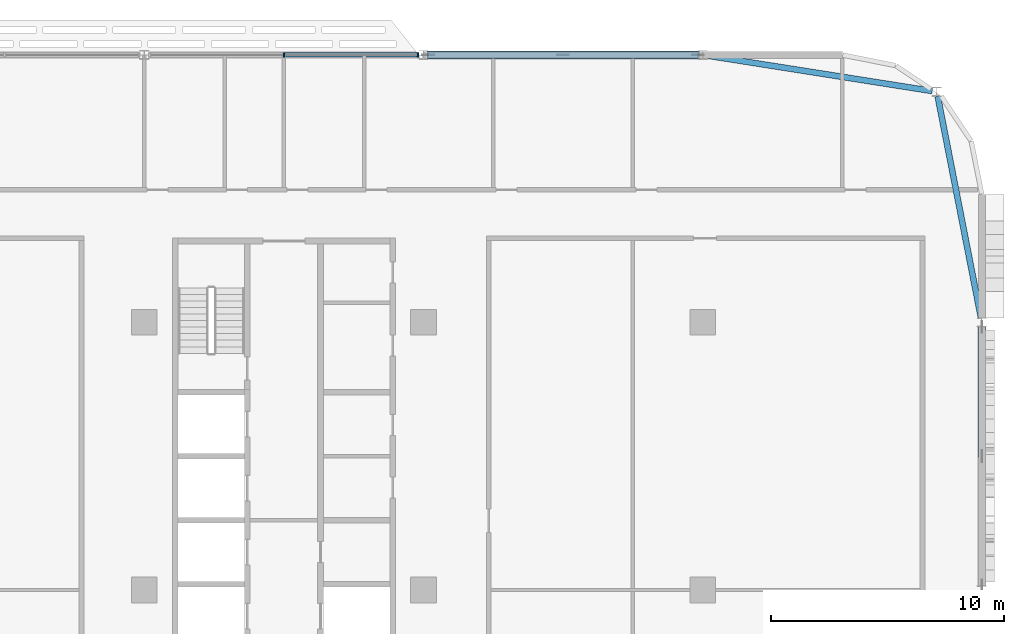
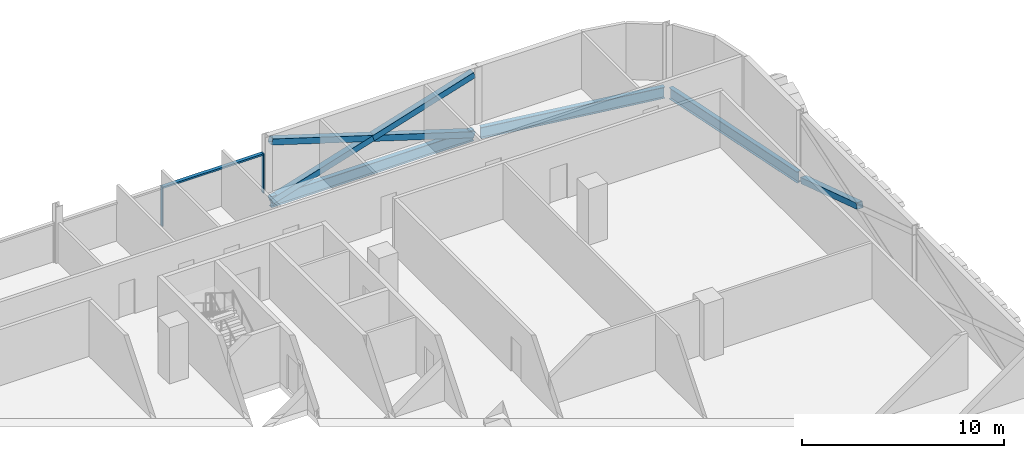
# One storey, part 11 of 30: 7 members, 3 beams, 1 element without a shape of its own.
"""IFC4 building model written with IfcOpenShell, lengths in metres."""

from ifc_helpers import new_model, si_unit, direction, frame, origin, origin_2d, place, context, subcontext, project, spatial, rectangle, hollow_rectangle, i_section, extrude, material, material_profile, profile_set, type_object, element, aggregate, save


model = new_model("IFC4")

# Units and contexts
model_context = context("Model", 3, precision=1e-05, world=origin(), true_north=direction((0.0, 1.0)))
body_context = subcontext(model_context, "Body", "Model", "MODEL_VIEW")
ifc_project = project(units=[si_unit("LENGTHUNIT", "METRE"), si_unit("AREAUNIT", "SQUARE_METRE"), si_unit("VOLUMEUNIT", "CUBIC_METRE"), si_unit("PLANEANGLEUNIT", "RADIAN"), si_unit("MASSUNIT", "GRAM", prefix="KILO")], contexts=[model_context])

# Site, building, storey
site_placement = place(None, origin())
site = spatial("IfcSite", under=ifc_project, at=site_placement, CompositionType="ELEMENT")
building_placement = place(site_placement, origin())
building = spatial("IfcBuilding", under=site, at=building_placement, Name="Mahtab Terrace Research Tower", CompositionType="ELEMENT")
storey_placement = place(building_placement, frame((0.0, 0.0, 220.5)))
storey = spatial("IfcBuildingStorey", under=building, at=storey_placement, Name="L53", CompositionType="ELEMENT", Elevation=220.5)

# Members
ifc_material_1 = material(Name="Steel ASTM A500 Gr C", Category="steel")
ifc_material_profile_1 = material_profile(ifc_material_1, hollow_rectangle(XDim=0.355712890625, YDim=0.355712890625, WallThickness=0.015869140625, at=origin_2d()), Name="HSS14X14X5/8")
ifc_profile_set_1 = profile_set([ifc_material_profile_1], Name="Steel ASTM A500 Gr C")
member_type_1 = type_object("IfcMemberType", Name="HSS 14x14x5/8 brace XB141458", PredefinedType="BRACE", material=ifc_profile_set_1)
member_1_placement = place(storey_placement, frame((41.79931640625, 23.0, -0.616455078125), z_axis=(-0.954709972543, 0.0, 0.297538011566), x_axis=(0.0, -1.0, 0.0)))
element("IfcMember", 1, at=member_1_placement, inside=storey, type_object=member_type_1, Name="Exoskeleton brace L53 02 a", PredefinedType="BRACE", context=body_context, shape_type="SweptSolid", body=[
    extrude(hollow_rectangle(XDim=0.355712890625, YDim=0.355712890625, WallThickness=0.015869140625, at=origin_2d()), origin(), (0.0, 0.0, 1.0), 12.14892578125),
])
for number, where, z_axis, x_axis, name in (
    (2, (30.20068359375, 23.0, -0.616455078125), (0.954709972543, 0.0, 0.297538011566), (0.0, 1.0, 0.0), "Exoskeleton brace L53 02 b1"),
    (3, (36.0, 23.0, 1.19091796875), (0.954709972543, 0.0, 0.297538011566), (0.0, 1.0, 0.0), "Exoskeleton brace L53 02 b2"),
):
    element("IfcMember", number, at=place(storey_placement, frame(where, z_axis=z_axis, x_axis=x_axis)), inside=storey, type_object=member_type_1, Name=name, PredefinedType="BRACE", context=body_context, shape_type="SweptSolid", body=[
        extrude(hollow_rectangle(XDim=0.355712890625, YDim=0.355712890625, WallThickness=0.015869140625, at=origin_2d()), origin(), (0.0, 0.0, 1.0), 6.074462890625),
    ])
member_2_placement = place(storey_placement, frame((54.0, 11.300537109375, -0.6142578125), z_axis=(0.0, -0.95097103429, 0.309279957226), x_axis=(1.0, 0.0, 0.0)))
element("IfcMember", 4, at=member_2_placement, inside=storey, type_object=member_type_1, Name="Exoskeleton brace L53 23 b1", PredefinedType="BRACE", context=body_context, shape_type="SweptSolid", body=[
    extrude(hollow_rectangle(XDim=0.355712890625, YDim=0.355712890625, WallThickness=0.015869140625, at=origin_2d()), origin(), (0.0, 0.0, 1.0), 5.836669921875),
])

# Curtain wall, members
ifc_material_2 = material(Name="Laboratory ribbon curtain wall")
curtain_wall_type = type_object("IfcCurtainWallType", Name="Laboratory ribbon curtain wall", PredefinedType="NOTDEFINED", material=ifc_material_2)
curtain_wall_placement = place(storey_placement, origin())
curtain_wall = element("IfcCurtainWall", 5, at=curtain_wall_placement, inside=storey, type_object=curtain_wall_type, Name="EN.L53.3.5", PredefinedType="NOTDEFINED")
ifc_material_3 = material(Name="Natural anodised aluminium", Category="aluminium")
ifc_material_profile_2 = material_profile(ifc_material_3, rectangle(XDim=0.199951171875, YDim=0.06494140625, at=origin_2d()), Name="MULLION 65x200")
ifc_profile_set_2 = profile_set([ifc_material_profile_2], Name="Natural anodised aluminium")
member_type_2 = type_object("IfcMemberType", Name="Laboratory ribbon curtain wall mullion", PredefinedType="MULLION", material=ifc_profile_set_2)
member_3_placement = place(storey_placement, frame((29.767578125, 23.0, 0.0), z_axis=(0.0, 0.0, 1.0), x_axis=(0.0, -1.0, 0.0)))
member_3 = element("IfcMember", 6, at=member_3_placement, type_object=member_type_2, Name="CWL-6 mullion 1", PredefinedType="MULLION", context=body_context, shape_type="SweptSolid", body=[
    extrude(rectangle(XDim=0.199951171875, YDim=0.06494140625, at=origin_2d()), origin(), (0.0, 0.0, 1.0), 2.401123046875),
])
member_4_placement = place(storey_placement, frame((24.0, 23.0, 0.0), z_axis=(0.0, 0.0, 1.0), x_axis=(0.0, -1.0, 0.0)))
member_4 = element("IfcMember", 7, at=member_4_placement, type_object=member_type_2, Name="CWL-6 mullion 2", PredefinedType="MULLION", context=body_context, shape_type="SweptSolid", body=[
    extrude(rectangle(XDim=0.199951171875, YDim=0.06494140625, at=origin_2d()), origin(), (0.0, 0.0, 1.0), 2.401123046875),
])
ifc_material_profile_3 = material_profile(ifc_material_3, rectangle(XDim=0.199951171875, YDim=0.10009765625, at=origin_2d()), Name="TRANSOM 100x200")
ifc_profile_set_3 = profile_set([ifc_material_profile_3], Name="Natural anodised aluminium")
member_type_3 = type_object("IfcMemberType", Name="Laboratory ribbon curtain wall transom", PredefinedType="USERDEFINED", material=ifc_profile_set_3)
member_5_placement = place(storey_placement, frame((29.735107421875, 23.0, 2.351318359375), z_axis=(-1.0, 0.0, 0.0), x_axis=(0.0, -1.0, 0.0)))
member_5 = element("IfcMember", 8, at=member_5_placement, type_object=member_type_3, Name="CWL-6 transom 1", ObjectType="TRANSOM", PredefinedType="USERDEFINED", context=body_context, shape_type="SweptSolid", body=[
    extrude(rectangle(XDim=0.199951171875, YDim=0.10009765625, at=origin_2d()), origin(), (0.0, 0.0, 1.0), 5.70263671875),
])
aggregate(curtain_wall, [member_3, member_4, member_5])

# Beams
ifc_material_4 = material(Name="Steel ASTM A992 Gr 50", Category="steel")
ifc_material_profile_4 = material_profile(ifc_material_4, i_section(OverallWidth=0.25390625, OverallDepth=0.67822265625, WebThickness=0.01171875, FlangeThickness=0.016357421875, at=origin_2d()), Name="W27X84")
ifc_profile_set_4 = profile_set([ifc_material_profile_4], Name="Steel ASTM A992 Gr 50")
beam_type = type_object("IfcBeamType", Name="W27x84 beam BS2784", PredefinedType="BEAM", material=ifc_profile_set_4)
beam_1_placement = place(storey_placement, frame((51.861328125, 21.447509765625, -0.67919921875), z_axis=(-0.987831689273, 0.155526697604, 0.0), x_axis=(-0.155526697604, -0.987831689273, 0.0)))
element("IfcBeam", 9, at=beam_1_placement, inside=storey, type_object=beam_type, Name="Spandrel beam L53 01", PredefinedType="BEAM", context=body_context, shape_type="SweptSolid", body=[
    extrude(i_section(OverallWidth=0.25390625, OverallDepth=0.67822265625, WebThickness=0.01171875, FlangeThickness=0.016357421875, at=origin_2d()), origin(), (0.0, 0.0, 1.0), 9.779541015625),
])
beam_2_placement = place(storey_placement, frame((41.79931640625, 23.0, -0.67919921875), z_axis=(-1.0, 0.0, 0.0), x_axis=(0.0, -1.0, 0.0)))
element("IfcBeam", 10, at=beam_2_placement, inside=storey, type_object=beam_type, Name="Spandrel beam L53 02", PredefinedType="BEAM", context=body_context, shape_type="SweptSolid", body=[
    extrude(i_section(OverallWidth=0.25390625, OverallDepth=0.67822265625, WebThickness=0.01171875, FlangeThickness=0.016357421875, at=origin_2d()), origin(), (0.0, 0.0, 1.0), 11.5986328125),
])
beam_3_placement = place(storey_placement, frame((53.9609375, 11.699462890625, -0.67919921875), z_axis=(-0.191795474732, 0.981434916779, 0.0), x_axis=(-0.981434916779, -0.191795474732, 0.0)))
element("IfcBeam", 11, at=beam_3_placement, inside=storey, type_object=beam_type, Name="Spandrel beam L53 24", PredefinedType="BEAM", context=body_context, shape_type="SweptSolid", body=[
    extrude(i_section(OverallWidth=0.25390625, OverallDepth=0.67822265625, WebThickness=0.01171875, FlangeThickness=0.016357421875, at=origin_2d()), origin(), (0.0, 0.0, 1.0), 9.697021484375),
])

save(model, "model.ifc")
